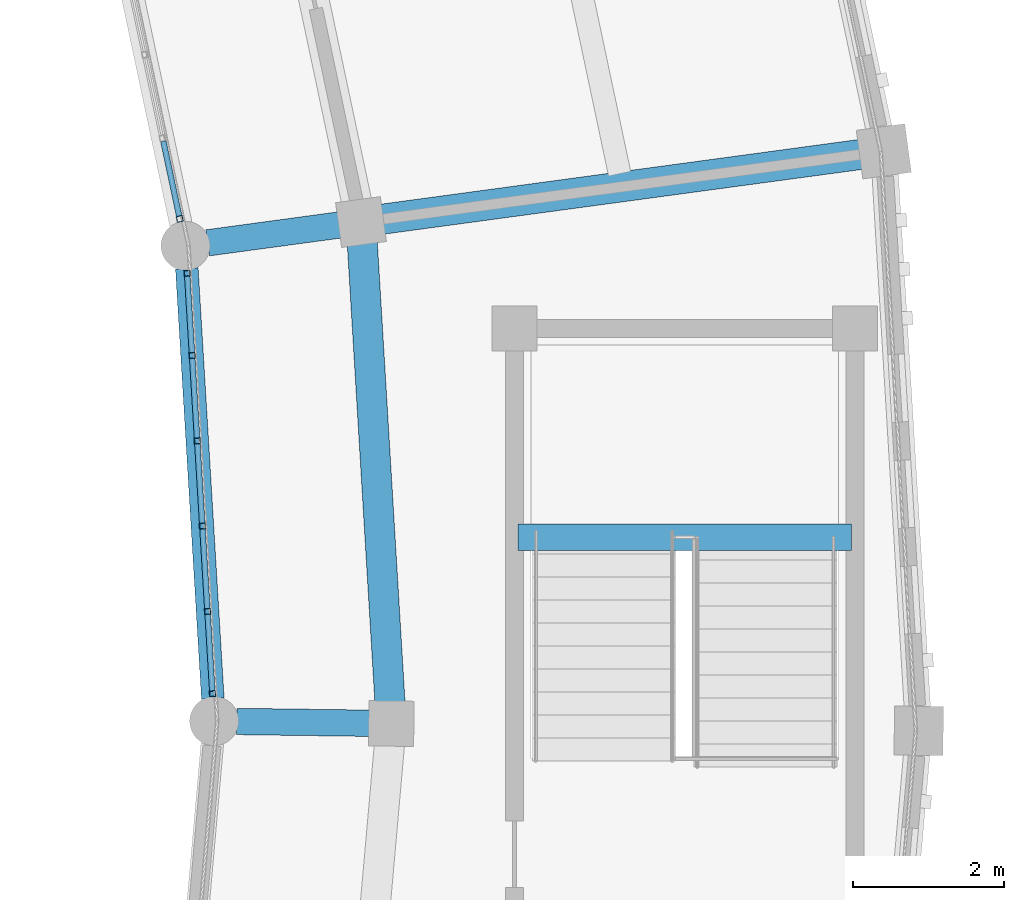
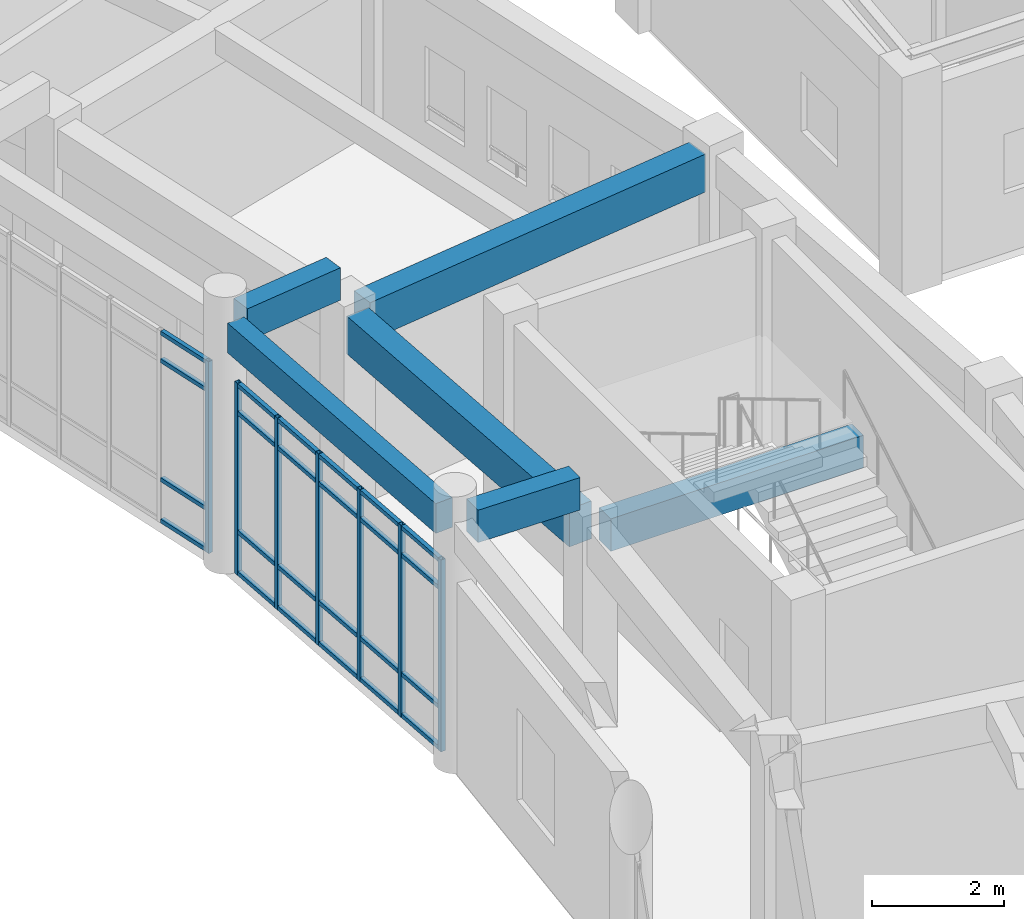
# One storey, part 87 of 159: 31 members, 6 beams, 2 elements without a shape of their own.
"""IFC4 building model written with IfcOpenShell, lengths in metres."""

from ifc_helpers import new_model, si_unit, direction, frame, origin, origin_2d, place, context, subcontext, project, spatial, rectangle, hollow_rectangle, extrude, material, material_profile, profile_set, type_object, element, aggregate, save


model = new_model("IFC4")

# Units and contexts
model_context = context("Model", 3, precision=1e-05, world=origin(), true_north=direction((0.0, 1.0)))
body_context = subcontext(model_context, "Body", "Model", "MODEL_VIEW")
ifc_project = project(units=[si_unit("LENGTHUNIT", "METRE"), si_unit("AREAUNIT", "SQUARE_METRE"), si_unit("VOLUMEUNIT", "CUBIC_METRE"), si_unit("PLANEANGLEUNIT", "RADIAN"), si_unit("MASSUNIT", "GRAM", prefix="KILO")], contexts=[model_context])

# Site, building, storey
site_placement = place(None, origin())
site = spatial("IfcSite", under=ifc_project, at=site_placement, CompositionType="ELEMENT")
building_placement = place(site_placement, origin())
building = spatial("IfcBuilding", under=site, at=building_placement, Name="Celadon Cloister-Ring School", CompositionType="ELEMENT")
storey_placement = place(building_placement, frame((0.0, 0.0, 4.5)))
storey = spatial("IfcBuildingStorey", under=building, at=storey_placement, Name="L01", CompositionType="ELEMENT", Elevation=4.5)

# Beams
ifc_material_1 = material(Name="Concrete C35/45", Category="concrete")
ifc_material_profile_1 = material_profile(ifc_material_1, rectangle(XDim=0.35009765625, YDim=0.60009765625, at=origin_2d()), Name="RC350X600")
ifc_profile_set_1 = profile_set([ifc_material_profile_1], Name="Concrete C35/45")
beam_type_1 = type_object("IfcBeamType", Name="BT-02", PredefinedType="BEAM", material=ifc_profile_set_1)
for number, where, z_axis, x_axis, name in (
    (1, (131.720947265625, 58.382080078125, 4.35009765625), (-0.999909156439, 0.013478830444, 0.0), (-0.013478830444, -0.999909156439, 0.0), "Beam 0252"),
    (2, (131.321044921875, 64.9951171875, 4.35009765625), (-0.990967747371, -0.134100423829, 0.0), (0.134100423829, -0.990967747371, 0.0), "Beam 0254"),
):
    element("IfcBeam", number, at=place(storey_placement, frame(where, z_axis=z_axis, x_axis=x_axis)), inside=storey, type_object=beam_type_1, Name=name, PredefinedType="BEAM", context=body_context, shape_type="SweptSolid", body=[
        extrude(rectangle(XDim=0.35009765625, YDim=0.60009765625, at=origin_2d()), origin(), (0.0, 0.0, 1.0), 1.775146484375),
    ])
beam_1_placement = place(storey_placement, frame((133.679931640625, 60.85009765625, 1.39990234375), z_axis=(1.0, 0.0, 0.0), x_axis=(0.0, 1.0, 0.0)))
element("IfcBeam", 3, at=beam_1_placement, inside=storey, type_object=beam_type_1, Name="Stair Landing Beam 1758", PredefinedType="BEAM", context=body_context, shape_type="SweptSolid", body=[
    extrude(rectangle(XDim=0.35009765625, YDim=0.60009765625, at=origin_2d()), origin(), (0.0, 0.0, 1.0), 4.420166015625),
])

# Curtain wall, members
ifc_material_2 = material(Name="Aluminium EN AW-6063 T6", Category="aluminium")
curtain_wall_type = type_object("IfcCurtainWallType", Name="CW-01", PredefinedType="USERDEFINED", material=ifc_material_2)
curtain_wall_1_placement = place(storey_placement, origin())
curtain_wall_1 = element("IfcCurtainWall", 4, at=curtain_wall_1_placement, inside=storey, type_object=curtain_wall_type, Name="Curtain Wall 0039", ObjectType="CURTAIN WALL", PredefinedType="USERDEFINED")
ifc_material_3 = material(Name="Aluminium EN AW-6063 T6", Category="aluminium")
ifc_material_profile_2 = material_profile(ifc_material_3, hollow_rectangle(XDim=0.080078125, YDim=0.080078125, WallThickness=0.00390625, at=origin_2d()), Name="RHS80X80X4")
ifc_profile_set_2 = profile_set([ifc_material_profile_2], Name="Aluminium EN AW-6063 T6")
member_type_1 = type_object("IfcMemberType", Name="CM-03", PredefinedType="MULLION", material=ifc_profile_set_2)
member_1_placement = place(storey_placement, frame((129.62353515625, 58.77392578125, 0.0), z_axis=(0.0, 0.0, 1.0), x_axis=(-0.998189416171, -0.060148893965, 0.0)))
member_1 = element("IfcMember", 5, at=member_1_placement, type_object=member_type_1, Name="CW-01 mullion 1", PredefinedType="MULLION", context=body_context, shape_type="SweptSolid", body=[
    extrude(hollow_rectangle(XDim=0.080078125, YDim=0.080078125, WallThickness=0.00390625, at=origin_2d()), origin(), (0.0, 0.0, 1.0), 3.550048828125),
])
member_2_placement = place(storey_placement, frame((129.557861328125, 59.86572265625, 0.0), z_axis=(0.0, 0.0, 1.0), x_axis=(-0.998189416171, -0.060148893965, 0.0)))
member_2 = element("IfcMember", 6, at=member_2_placement, type_object=member_type_1, Name="CW-01 mullion 2", PredefinedType="MULLION", context=body_context, shape_type="SweptSolid", body=[
    extrude(hollow_rectangle(XDim=0.080078125, YDim=0.080078125, WallThickness=0.00390625, at=origin_2d()), origin(), (0.0, 0.0, 1.0), 3.550048828125),
])
member_3_placement = place(storey_placement, frame((129.489501953125, 60.99755859375, 0.0), z_axis=(0.0, 0.0, 1.0), x_axis=(-0.998189416171, -0.060148893965, 0.0)))
member_3 = element("IfcMember", 7, at=member_3_placement, type_object=member_type_1, Name="CW-01 mullion 3", PredefinedType="MULLION", context=body_context, shape_type="SweptSolid", body=[
    extrude(hollow_rectangle(XDim=0.080078125, YDim=0.080078125, WallThickness=0.00390625, at=origin_2d()), origin(), (0.0, 0.0, 1.0), 3.550048828125),
])
member_4_placement = place(storey_placement, frame((129.42138671875, 62.12939453125, 0.0), z_axis=(0.0, 0.0, 1.0), x_axis=(-0.998189416171, -0.060148893965, 0.0)))
member_4 = element("IfcMember", 8, at=member_4_placement, type_object=member_type_1, Name="CW-01 mullion 4", PredefinedType="MULLION", context=body_context, shape_type="SweptSolid", body=[
    extrude(hollow_rectangle(XDim=0.080078125, YDim=0.080078125, WallThickness=0.00390625, at=origin_2d()), origin(), (0.0, 0.0, 1.0), 3.550048828125),
])
member_5_placement = place(storey_placement, frame((129.353271484375, 63.26123046875, 0.0), z_axis=(0.0, 0.0, 1.0), x_axis=(-0.998189416171, -0.060148893965, 0.0)))
member_5 = element("IfcMember", 9, at=member_5_placement, type_object=member_type_1, Name="CW-01 mullion 5", PredefinedType="MULLION", context=body_context, shape_type="SweptSolid", body=[
    extrude(hollow_rectangle(XDim=0.080078125, YDim=0.080078125, WallThickness=0.00390625, at=origin_2d()), origin(), (0.0, 0.0, 1.0), 3.550048828125),
])
member_6_placement = place(storey_placement, frame((129.287353515625, 64.35302734375, 0.0), z_axis=(0.0, 0.0, 1.0), x_axis=(-0.998189416171, -0.060148893965, 0.0)))
member_6 = element("IfcMember", 10, at=member_6_placement, type_object=member_type_1, Name="CW-01 mullion 6", PredefinedType="MULLION", context=body_context, shape_type="SweptSolid", body=[
    extrude(hollow_rectangle(XDim=0.080078125, YDim=0.080078125, WallThickness=0.00390625, at=origin_2d()), origin(), (0.0, 0.0, 1.0), 3.550048828125),
])

# Curtain wall, member
curtain_wall_2_placement = place(storey_placement, origin())
curtain_wall_2 = element("IfcCurtainWall", 11, at=curtain_wall_2_placement, inside=storey, type_object=curtain_wall_type, Name="Curtain Wall 0040", ObjectType="CURTAIN WALL", PredefinedType="USERDEFINED")
member_7_placement = place(storey_placement, frame((129.189697265625, 65.07421875, 0.0), z_axis=(0.0, 0.0, 1.0), x_axis=(-0.978320844999, -0.207094964304, 0.0)))
member_7 = element("IfcMember", 12, at=member_7_placement, type_object=member_type_1, Name="CW-01 mullion 1", PredefinedType="MULLION", context=body_context, shape_type="SweptSolid", body=[
    extrude(hollow_rectangle(XDim=0.080078125, YDim=0.080078125, WallThickness=0.00390625, at=origin_2d()), origin(), (0.0, 0.0, 1.0), 3.550048828125),
])

# Member
ifc_material_4 = material(Name="Aluminium EN AW-6063 T6", Category="aluminium")
ifc_material_profile_3 = material_profile(ifc_material_4, hollow_rectangle(XDim=0.074951171875, YDim=0.074951171875, WallThickness=0.00390625, at=origin_2d()), Name="RHS75X75X4")
ifc_profile_set_3 = profile_set([ifc_material_profile_3], Name="Aluminium EN AW-6063 T6")
member_type_2 = type_object("IfcMemberType", Name="CTM-03", PredefinedType="USERDEFINED", material=ifc_profile_set_3)
member_8_placement = place(storey_placement, frame((129.62109375, 58.81396484375, 0.03759765625), z_axis=(-0.059964277537, 0.998200523652, 0.0), x_axis=(-0.998200523652, -0.059964277537, 0.0)))
member_8 = element("IfcMember", 13, at=member_8_placement, type_object=member_type_2, Name="CW-01 transom 1.1", ObjectType="TRANSOM", PredefinedType="USERDEFINED", context=body_context, shape_type="SweptSolid", body=[
    extrude(hollow_rectangle(XDim=0.074951171875, YDim=0.074951171875, WallThickness=0.00390625, at=origin_2d()), origin(), (0.0, 0.0, 1.0), 1.013671875),
])

member_9_placement = place(storey_placement, frame((129.62109375, 58.81396484375, 0.800048828125), z_axis=(-0.059964277537, 0.998200523652, 0.0), x_axis=(-0.998200523652, -0.059964277537, 0.0)))
member_9 = element("IfcMember", 14, at=member_9_placement, type_object=member_type_2, Name="CW-01 transom 1.2", ObjectType="TRANSOM", PredefinedType="USERDEFINED", context=body_context, shape_type="SweptSolid", body=[
    extrude(hollow_rectangle(XDim=0.074951171875, YDim=0.074951171875, WallThickness=0.00390625, at=origin_2d()), origin(), (0.0, 0.0, 1.0), 1.013671875),
])

member_10_placement = place(storey_placement, frame((129.62109375, 58.81396484375, 3.0), z_axis=(-0.059964277537, 0.998200523652, 0.0), x_axis=(-0.998200523652, -0.059964277537, 0.0)))
member_10 = element("IfcMember", 15, at=member_10_placement, type_object=member_type_2, Name="CW-01 transom 1.3", ObjectType="TRANSOM", PredefinedType="USERDEFINED", context=body_context, shape_type="SweptSolid", body=[
    extrude(hollow_rectangle(XDim=0.074951171875, YDim=0.074951171875, WallThickness=0.00390625, at=origin_2d()), origin(), (0.0, 0.0, 1.0), 1.013671875),
])

member_11_placement = place(storey_placement, frame((129.62109375, 58.81396484375, 3.512451171875), z_axis=(-0.059964277537, 0.998200523652, 0.0), x_axis=(-0.998200523652, -0.059964277537, 0.0)))
member_11 = element("IfcMember", 16, at=member_11_placement, type_object=member_type_2, Name="CW-01 transom 1.4", ObjectType="TRANSOM", PredefinedType="USERDEFINED", context=body_context, shape_type="SweptSolid", body=[
    extrude(hollow_rectangle(XDim=0.074951171875, YDim=0.074951171875, WallThickness=0.00390625, at=origin_2d()), origin(), (0.0, 0.0, 1.0), 1.013671875),
])

member_12_placement = place(storey_placement, frame((129.555419921875, 59.90576171875, 0.03759765625), z_axis=(-0.060229284723, 0.998184568736, 0.0), x_axis=(-0.998184568736, -0.060229284723, 0.0)))
member_12 = element("IfcMember", 17, at=member_12_placement, type_object=member_type_2, Name="CW-01 transom 2.1", ObjectType="TRANSOM", PredefinedType="USERDEFINED", context=body_context, shape_type="SweptSolid", body=[
    extrude(hollow_rectangle(XDim=0.074951171875, YDim=0.074951171875, WallThickness=0.00390625, at=origin_2d()), origin(), (0.0, 0.0, 1.0), 1.053955078125),
])

member_13_placement = place(storey_placement, frame((129.555419921875, 59.90576171875, 0.800048828125), z_axis=(-0.060229284723, 0.998184568736, 0.0), x_axis=(-0.998184568736, -0.060229284723, 0.0)))
member_13 = element("IfcMember", 18, at=member_13_placement, type_object=member_type_2, Name="CW-01 transom 2.2", ObjectType="TRANSOM", PredefinedType="USERDEFINED", context=body_context, shape_type="SweptSolid", body=[
    extrude(hollow_rectangle(XDim=0.074951171875, YDim=0.074951171875, WallThickness=0.00390625, at=origin_2d()), origin(), (0.0, 0.0, 1.0), 1.053955078125),
])

member_14_placement = place(storey_placement, frame((129.555419921875, 59.90576171875, 3.0), z_axis=(-0.060229284723, 0.998184568736, 0.0), x_axis=(-0.998184568736, -0.060229284723, 0.0)))
member_14 = element("IfcMember", 19, at=member_14_placement, type_object=member_type_2, Name="CW-01 transom 2.3", ObjectType="TRANSOM", PredefinedType="USERDEFINED", context=body_context, shape_type="SweptSolid", body=[
    extrude(hollow_rectangle(XDim=0.074951171875, YDim=0.074951171875, WallThickness=0.00390625, at=origin_2d()), origin(), (0.0, 0.0, 1.0), 1.053955078125),
])

member_15_placement = place(storey_placement, frame((129.555419921875, 59.90576171875, 3.512451171875), z_axis=(-0.060229284723, 0.998184568736, 0.0), x_axis=(-0.998184568736, -0.060229284723, 0.0)))
member_15 = element("IfcMember", 20, at=member_15_placement, type_object=member_type_2, Name="CW-01 transom 2.4", ObjectType="TRANSOM", PredefinedType="USERDEFINED", context=body_context, shape_type="SweptSolid", body=[
    extrude(hollow_rectangle(XDim=0.074951171875, YDim=0.074951171875, WallThickness=0.00390625, at=origin_2d()), origin(), (0.0, 0.0, 1.0), 1.053955078125),
])

member_16_placement = place(storey_placement, frame((129.4873046875, 61.03759765625, 0.03759765625), z_axis=(-0.060243214789, 0.998183728114, 0.0), x_axis=(-0.998183728114, -0.060243214789, 0.0)))
member_16 = element("IfcMember", 21, at=member_16_placement, type_object=member_type_2, Name="CW-01 transom 3.1", ObjectType="TRANSOM", PredefinedType="USERDEFINED", context=body_context, shape_type="SweptSolid", body=[
    extrude(hollow_rectangle(XDim=0.074951171875, YDim=0.074951171875, WallThickness=0.00390625, at=origin_2d()), origin(), (0.0, 0.0, 1.0), 1.0537109375),
])

member_17_placement = place(storey_placement, frame((129.4873046875, 61.03759765625, 0.800048828125), z_axis=(-0.060243214789, 0.998183728114, 0.0), x_axis=(-0.998183728114, -0.060243214789, 0.0)))
member_17 = element("IfcMember", 22, at=member_17_placement, type_object=member_type_2, Name="CW-01 transom 3.2", ObjectType="TRANSOM", PredefinedType="USERDEFINED", context=body_context, shape_type="SweptSolid", body=[
    extrude(hollow_rectangle(XDim=0.074951171875, YDim=0.074951171875, WallThickness=0.00390625, at=origin_2d()), origin(), (0.0, 0.0, 1.0), 1.0537109375),
])

member_18_placement = place(storey_placement, frame((129.4873046875, 61.03759765625, 3.0), z_axis=(-0.060243214789, 0.998183728114, 0.0), x_axis=(-0.998183728114, -0.060243214789, 0.0)))
member_18 = element("IfcMember", 23, at=member_18_placement, type_object=member_type_2, Name="CW-01 transom 3.3", ObjectType="TRANSOM", PredefinedType="USERDEFINED", context=body_context, shape_type="SweptSolid", body=[
    extrude(hollow_rectangle(XDim=0.074951171875, YDim=0.074951171875, WallThickness=0.00390625, at=origin_2d()), origin(), (0.0, 0.0, 1.0), 1.0537109375),
])

member_19_placement = place(storey_placement, frame((129.4873046875, 61.03759765625, 3.512451171875), z_axis=(-0.060243214789, 0.998183728114, 0.0), x_axis=(-0.998183728114, -0.060243214789, 0.0)))
member_19 = element("IfcMember", 24, at=member_19_placement, type_object=member_type_2, Name="CW-01 transom 3.4", ObjectType="TRANSOM", PredefinedType="USERDEFINED", context=body_context, shape_type="SweptSolid", body=[
    extrude(hollow_rectangle(XDim=0.074951171875, YDim=0.074951171875, WallThickness=0.00390625, at=origin_2d()), origin(), (0.0, 0.0, 1.0), 1.0537109375),
])

member_20_placement = place(storey_placement, frame((129.4189453125, 62.16943359375, 0.03759765625), z_axis=(-0.060012346202, 0.998197634892, 0.0), x_axis=(-0.998197634892, -0.060012346202, 0.0)))
member_20 = element("IfcMember", 25, at=member_20_placement, type_object=member_type_2, Name="CW-01 transom 4.1", ObjectType="TRANSOM", PredefinedType="USERDEFINED", context=body_context, shape_type="SweptSolid", body=[
    extrude(hollow_rectangle(XDim=0.074951171875, YDim=0.074951171875, WallThickness=0.00390625, at=origin_2d()), origin(), (0.0, 0.0, 1.0), 1.0537109375),
])

member_21_placement = place(storey_placement, frame((129.4189453125, 62.16943359375, 0.800048828125), z_axis=(-0.060012346202, 0.998197634892, 0.0), x_axis=(-0.998197634892, -0.060012346202, 0.0)))
member_21 = element("IfcMember", 26, at=member_21_placement, type_object=member_type_2, Name="CW-01 transom 4.2", ObjectType="TRANSOM", PredefinedType="USERDEFINED", context=body_context, shape_type="SweptSolid", body=[
    extrude(hollow_rectangle(XDim=0.074951171875, YDim=0.074951171875, WallThickness=0.00390625, at=origin_2d()), origin(), (0.0, 0.0, 1.0), 1.0537109375),
])

member_22_placement = place(storey_placement, frame((129.4189453125, 62.16943359375, 3.0), z_axis=(-0.060012346202, 0.998197634892, 0.0), x_axis=(-0.998197634892, -0.060012346202, 0.0)))
member_22 = element("IfcMember", 27, at=member_22_placement, type_object=member_type_2, Name="CW-01 transom 4.3", ObjectType="TRANSOM", PredefinedType="USERDEFINED", context=body_context, shape_type="SweptSolid", body=[
    extrude(hollow_rectangle(XDim=0.074951171875, YDim=0.074951171875, WallThickness=0.00390625, at=origin_2d()), origin(), (0.0, 0.0, 1.0), 1.0537109375),
])

member_23_placement = place(storey_placement, frame((129.4189453125, 62.16943359375, 3.512451171875), z_axis=(-0.060012346202, 0.998197634892, 0.0), x_axis=(-0.998197634892, -0.060012346202, 0.0)))
member_23 = element("IfcMember", 28, at=member_23_placement, type_object=member_type_2, Name="CW-01 transom 4.4", ObjectType="TRANSOM", PredefinedType="USERDEFINED", context=body_context, shape_type="SweptSolid", body=[
    extrude(hollow_rectangle(XDim=0.074951171875, YDim=0.074951171875, WallThickness=0.00390625, at=origin_2d()), origin(), (0.0, 0.0, 1.0), 1.0537109375),
])

member_24_placement = place(storey_placement, frame((129.350830078125, 63.301025390625, 0.03759765625), z_axis=(-0.060189758377, 0.998186952923, 0.0), x_axis=(-0.998186952923, -0.060189758377, 0.0)))
member_24 = element("IfcMember", 29, at=member_24_placement, type_object=member_type_2, Name="CW-01 transom 5.1", ObjectType="TRANSOM", PredefinedType="USERDEFINED", context=body_context, shape_type="SweptSolid", body=[
    extrude(hollow_rectangle(XDim=0.074951171875, YDim=0.074951171875, WallThickness=0.00390625, at=origin_2d()), origin(), (0.0, 0.0, 1.0), 1.01416015625),
])

member_25_placement = place(storey_placement, frame((129.350830078125, 63.301025390625, 0.800048828125), z_axis=(-0.060189758377, 0.998186952923, 0.0), x_axis=(-0.998186952923, -0.060189758377, 0.0)))
member_25 = element("IfcMember", 30, at=member_25_placement, type_object=member_type_2, Name="CW-01 transom 5.2", ObjectType="TRANSOM", PredefinedType="USERDEFINED", context=body_context, shape_type="SweptSolid", body=[
    extrude(hollow_rectangle(XDim=0.074951171875, YDim=0.074951171875, WallThickness=0.00390625, at=origin_2d()), origin(), (0.0, 0.0, 1.0), 1.01416015625),
])

member_26_placement = place(storey_placement, frame((129.350830078125, 63.301025390625, 3.0), z_axis=(-0.060189758377, 0.998186952923, 0.0), x_axis=(-0.998186952923, -0.060189758377, 0.0)))
member_26 = element("IfcMember", 31, at=member_26_placement, type_object=member_type_2, Name="CW-01 transom 5.3", ObjectType="TRANSOM", PredefinedType="USERDEFINED", context=body_context, shape_type="SweptSolid", body=[
    extrude(hollow_rectangle(XDim=0.074951171875, YDim=0.074951171875, WallThickness=0.00390625, at=origin_2d()), origin(), (0.0, 0.0, 1.0), 1.01416015625),
])

member_27_placement = place(storey_placement, frame((129.350830078125, 63.301025390625, 3.512451171875), z_axis=(-0.060189758377, 0.998186952923, 0.0), x_axis=(-0.998186952923, -0.060189758377, 0.0)))
member_27 = element("IfcMember", 32, at=member_27_placement, type_object=member_type_2, Name="CW-01 transom 5.4", ObjectType="TRANSOM", PredefinedType="USERDEFINED", context=body_context, shape_type="SweptSolid", body=[
    extrude(hollow_rectangle(XDim=0.074951171875, YDim=0.074951171875, WallThickness=0.00390625, at=origin_2d()), origin(), (0.0, 0.0, 1.0), 1.01416015625),
])

aggregate(curtain_wall_1, [member_1, member_2, member_3, member_4, member_5, member_6, member_8, member_9, member_10, member_11, member_12, member_13, member_14, member_15, member_16, member_17, member_18, member_19, member_20, member_21, member_22, member_23, member_24, member_25, member_26, member_27])

member_28_placement = place(storey_placement, frame((129.181396484375, 65.11328125, 0.03759765625), z_axis=(-0.20712705188, 0.97831405202, 0.0), x_axis=(-0.97831405202, -0.20712705188, 0.0)))
member_28 = element("IfcMember", 33, at=member_28_placement, type_object=member_type_2, Name="CW-01 transom 1.1", ObjectType="TRANSOM", PredefinedType="USERDEFINED", context=body_context, shape_type="SweptSolid", body=[
    extrude(hollow_rectangle(XDim=0.074951171875, YDim=0.074951171875, WallThickness=0.00390625, at=origin_2d()), origin(), (0.0, 0.0, 1.0), 1.013671875),
])

member_29_placement = place(storey_placement, frame((129.181396484375, 65.11328125, 0.800048828125), z_axis=(-0.20712705188, 0.97831405202, 0.0), x_axis=(-0.97831405202, -0.20712705188, 0.0)))
member_29 = element("IfcMember", 34, at=member_29_placement, type_object=member_type_2, Name="CW-01 transom 1.2", ObjectType="TRANSOM", PredefinedType="USERDEFINED", context=body_context, shape_type="SweptSolid", body=[
    extrude(hollow_rectangle(XDim=0.074951171875, YDim=0.074951171875, WallThickness=0.00390625, at=origin_2d()), origin(), (0.0, 0.0, 1.0), 1.013671875),
])

member_30_placement = place(storey_placement, frame((129.181396484375, 65.11328125, 3.0), z_axis=(-0.20712705188, 0.97831405202, 0.0), x_axis=(-0.97831405202, -0.20712705188, 0.0)))
member_30 = element("IfcMember", 35, at=member_30_placement, type_object=member_type_2, Name="CW-01 transom 1.3", ObjectType="TRANSOM", PredefinedType="USERDEFINED", context=body_context, shape_type="SweptSolid", body=[
    extrude(hollow_rectangle(XDim=0.074951171875, YDim=0.074951171875, WallThickness=0.00390625, at=origin_2d()), origin(), (0.0, 0.0, 1.0), 1.013671875),
])

member_31_placement = place(storey_placement, frame((129.181396484375, 65.11328125, 3.512451171875), z_axis=(-0.20712705188, 0.97831405202, 0.0), x_axis=(-0.97831405202, -0.20712705188, 0.0)))
member_31 = element("IfcMember", 36, at=member_31_placement, type_object=member_type_2, Name="CW-01 transom 1.4", ObjectType="TRANSOM", PredefinedType="USERDEFINED", context=body_context, shape_type="SweptSolid", body=[
    extrude(hollow_rectangle(XDim=0.074951171875, YDim=0.074951171875, WallThickness=0.00390625, at=origin_2d()), origin(), (0.0, 0.0, 1.0), 1.013671875),
])

aggregate(curtain_wall_2, [member_7, member_28, member_29, member_30, member_31])

# Beams
ifc_material_5 = material(Name="Concrete C35/45", Category="concrete")
ifc_material_profile_4 = material_profile(ifc_material_5, rectangle(XDim=0.39990234375, YDim=0.699951171875, at=origin_2d()), Name="RC400X700")
ifc_profile_set_4 = profile_set([ifc_material_profile_4], Name="Concrete C35/45")
beam_type_2 = type_object("IfcBeamType", Name="GT-03", PredefinedType="USERDEFINED", material=ifc_profile_set_4)
beam_2_placement = place(storey_placement, frame((138.23388671875, 65.930908203125, 3.429931640625), z_axis=(-0.990963103676, -0.134134735073, 0.0), x_axis=(0.134134735073, -0.990963103676, 0.0)))
element("IfcBeam", 37, at=beam_2_placement, inside=storey, type_object=beam_type_2, Name="Beam 0253", ObjectType="GIRDER", PredefinedType="USERDEFINED", context=body_context, shape_type="SweptSolid", body=[
    extrude(rectangle(XDim=0.39990234375, YDim=0.699951171875, at=origin_2d()), origin(), (0.0, 0.0, 1.0), 6.425048828125),
])
beam_3_placement = place(storey_placement, frame((131.97900390625, 58.652099609375, 3.429931640625), z_axis=(-0.060146806865, 0.998189541933, 0.0), x_axis=(-0.998189541933, -0.060146806865, 0.0)))
element("IfcBeam", 38, at=beam_3_placement, inside=storey, type_object=beam_type_2, Name="Beam 0371", ObjectType="GIRDER", PredefinedType="USERDEFINED", context=body_context, shape_type="SweptSolid", body=[
    extrude(rectangle(XDim=0.39990234375, YDim=0.699951171875, at=origin_2d()), origin(), (0.0, 0.0, 1.0), 6.116943359375),
])
ifc_material_6 = material(Name="Concrete C35/45", Category="concrete")
ifc_material_profile_5 = material_profile(ifc_material_6, rectangle(XDim=0.300048828125, YDim=0.550048828125, at=origin_2d()), Name="RC300X550")
ifc_profile_set_5 = profile_set([ifc_material_profile_5], Name="Concrete C35/45")
beam_type_3 = type_object("IfcBeamType", Name="SP-02", PredefinedType="SPANDREL", material=ifc_profile_set_5)
beam_4_placement = place(storey_placement, frame((129.6279296875, 58.708984375, 4.375), z_axis=(-0.060315917043, 0.99817933767, 0.0), x_axis=(-0.99817933767, -0.060315917043, 0.0)))
element("IfcBeam", 39, at=beam_4_placement, inside=storey, type_object=beam_type_3, Name="Beam 0372", PredefinedType="SPANDREL", context=body_context, shape_type="SweptSolid", body=[
    extrude(rectangle(XDim=0.300048828125, YDim=0.550048828125, at=origin_2d()), origin(), (0.0, 0.0, 1.0), 5.719482421875),
])

save(model, "model.ifc")
